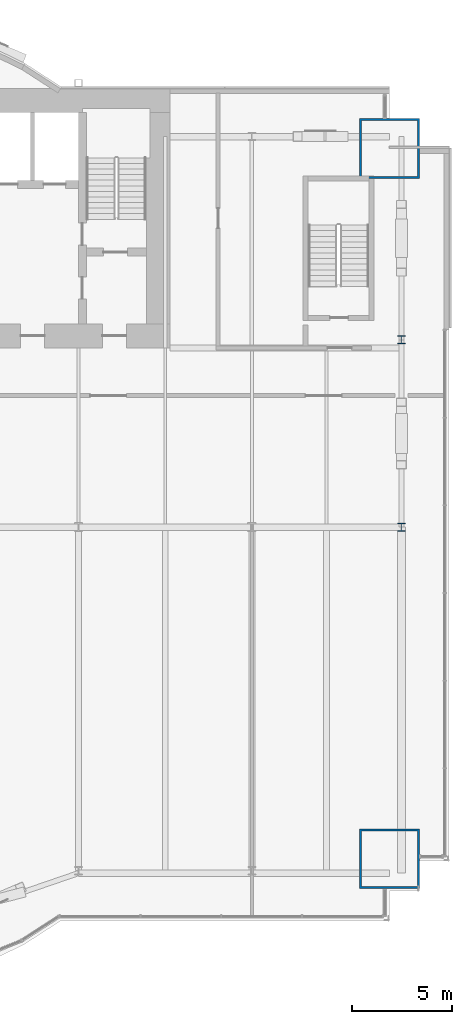
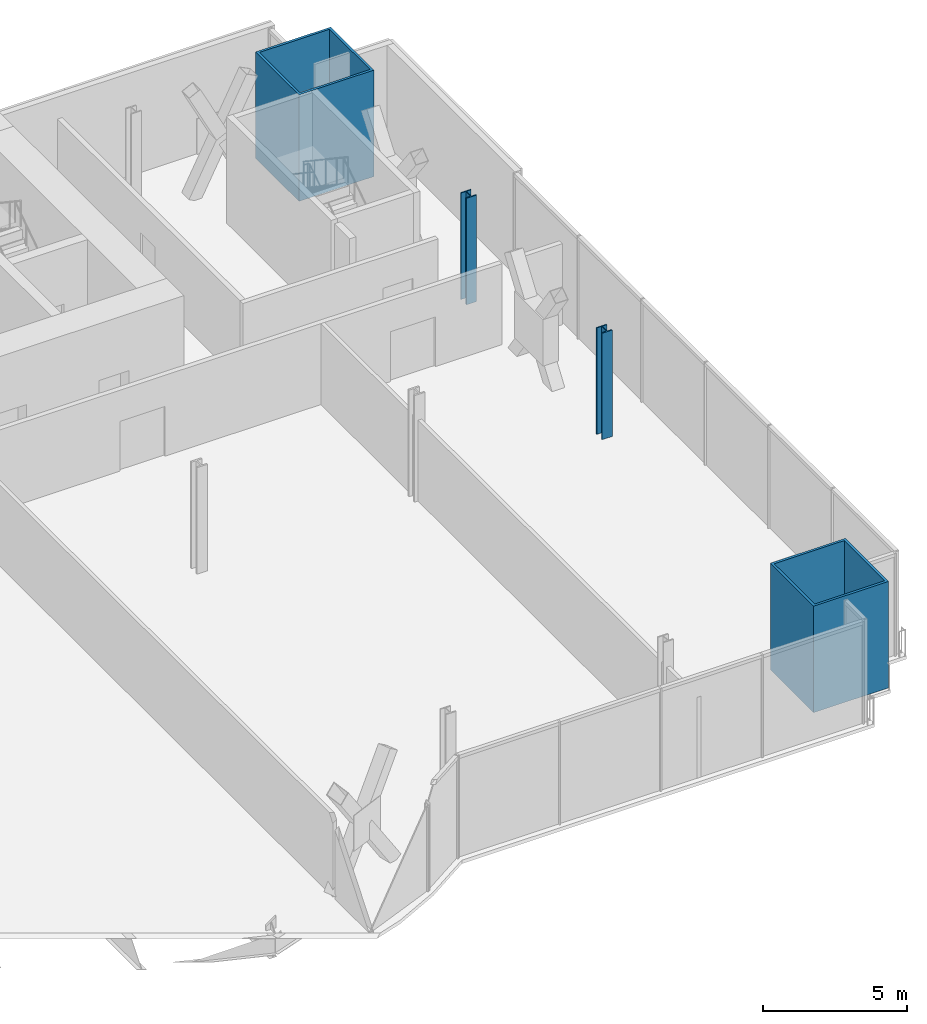
# One storey, part 3 of 22: 4 columns.
"""IFC4 building model written with IfcOpenShell, lengths in metres."""

from ifc_helpers import new_model, si_unit, direction, frame, origin, origin_2d, place, context, subcontext, project, spatial, hollow_rectangle, i_section, extrude, material, material_profile, profile_set, type_object, element, save


model = new_model("IFC4")

# Units and contexts
model_context = context("Model", 3, precision=1e-05, world=origin(), true_north=direction((0.0, 1.0)))
body_context = subcontext(model_context, "Body", "Model", "MODEL_VIEW")
ifc_project = project(units=[si_unit("LENGTHUNIT", "METRE"), si_unit("AREAUNIT", "SQUARE_METRE"), si_unit("VOLUMEUNIT", "CUBIC_METRE"), si_unit("PLANEANGLEUNIT", "RADIAN"), si_unit("MASSUNIT", "GRAM", prefix="KILO")], contexts=[model_context])

# Site, building, storey
site_placement = place(None, origin())
site = spatial("IfcSite", under=ifc_project, at=site_placement, CompositionType="ELEMENT")
building_placement = place(site_placement, origin())
building = spatial("IfcBuilding", under=site, at=building_placement, Name="Bicima Exchange Tower", CompositionType="ELEMENT")
storey_placement = place(building_placement, frame((0.0, 0.0, 39.5)))
storey = spatial("IfcBuildingStorey", under=building, at=storey_placement, Name="L07", CompositionType="ELEMENT", Elevation=39.5)

# Columns
ifc_material_1 = material(Name="Steel ASTM A572 Gr 50", Category="steel")
ifc_material_profile_1 = material_profile(ifc_material_1, hollow_rectangle(XDim=3.0, YDim=3.0, WallThickness=0.10009765625, at=origin_2d()))
ifc_profile_set_1 = profile_set([ifc_material_profile_1], Name="Steel ASTM A572 Gr 50")
column_type_1 = type_object("IfcColumnType", Name="Mega column BOX 3000x3000x100", PredefinedType="COLUMN", material=ifc_profile_set_1)
for number, where, z_axis, x_axis, name in (
    (1, (33.0, -38.634033203125, 0.0), (0.0, 0.0, 1.0), (1.0, 0.0, 0.0), "Mega column mega+33.0f"),
    (2, (33.0, -3.0, 0.0), (0.0, 0.0, 1.0), (1.0, 0.0, 0.0), "Mega column mega+33.0r"),
):
    element("IfcColumn", number, at=place(storey_placement, frame(where, z_axis=z_axis, x_axis=x_axis)), inside=storey, type_object=column_type_1, Name=name, PredefinedType="COLUMN", context=body_context, shape_type="SweptSolid", body=[
        extrude(hollow_rectangle(XDim=3.0, YDim=3.0, WallThickness=0.10009765625, at=origin_2d()), origin(), (0.0, 0.0, 1.0), 4.5),
    ])
ifc_material_2 = material(Name="Steel ASTM A992 Gr 50", Category="steel")
ifc_material_profile_2 = material_profile(ifc_material_2, i_section(OverallWidth=0.406494140625, OverallDepth=0.41650390625, WebThickness=0.030029296875, FlangeThickness=0.048095703125, at=origin_2d()))
ifc_profile_set_2 = profile_set([ifc_material_profile_2], Name="Steel ASTM A992 Gr 50")
column_type_2 = type_object("IfcColumnType", Name="Perimeter column W14x257", PredefinedType="COLUMN", material=ifc_profile_set_2)
for number, where, z_axis, x_axis, name in (
    (3, (33.60009765625, -12.60009765625, 0.0), (0.0, 0.0, 1.0), (1.0, 0.0, 0.0), "End column end+33.6e"),
    (4, (33.60009765625, -22.0, 0.0), (0.0, 0.0, 1.0), (1.0, 0.0, 0.0), "End column end+33.6e"),
):
    element("IfcColumn", number, at=place(storey_placement, frame(where, z_axis=z_axis, x_axis=x_axis)), inside=storey, type_object=column_type_2, Name=name, PredefinedType="COLUMN", context=body_context, shape_type="SweptSolid", body=[
        extrude(i_section(OverallWidth=0.406494140625, OverallDepth=0.41650390625, WebThickness=0.030029296875, FlangeThickness=0.048095703125, at=origin_2d()), origin(), (0.0, 0.0, 1.0), 4.5),
    ])

save(model, "model.ifc")
